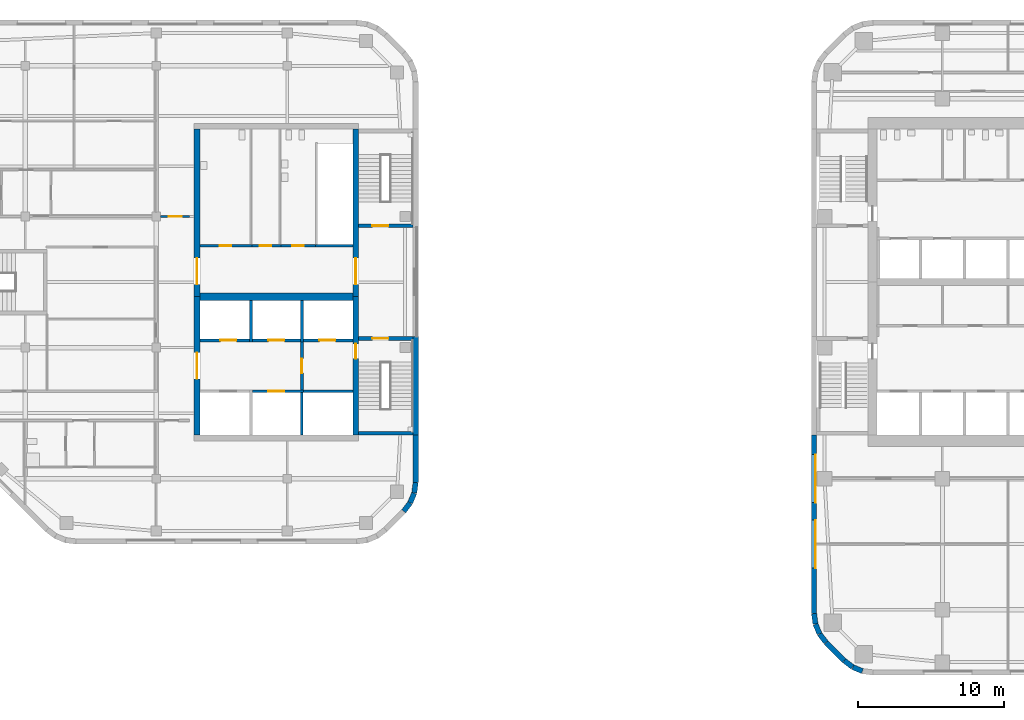
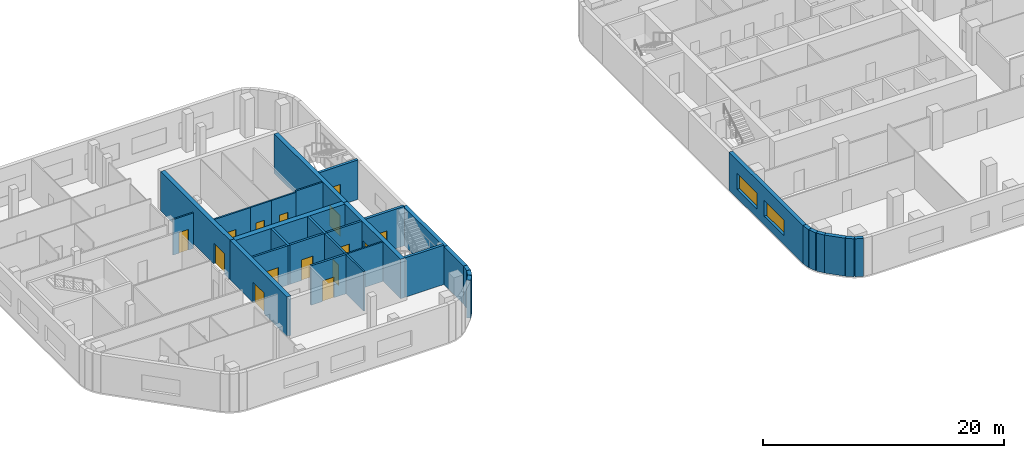
# One storey, part 6 of 14: 34 walls, 15 doors, 2 windows, 17 openings.
"""IFC4 building model written with IfcOpenShell, lengths in metres."""

from ifc_helpers import new_model, si_unit, direction, frame, frame_2d, origin, place, context, subcontext, project, spatial, rectangle, extrude, material, layer, layer_set, type_object, element, fill, save


model = new_model("IFC4")

# Units and contexts
model_context = context("Model", 3, precision=1e-05, world=origin(), true_north=direction((0.0, 1.0)))
body_context = subcontext(model_context, "Body", "Model", "MODEL_VIEW")
ifc_project = project(units=[si_unit("LENGTHUNIT", "METRE"), si_unit("AREAUNIT", "SQUARE_METRE"), si_unit("VOLUMEUNIT", "CUBIC_METRE"), si_unit("PLANEANGLEUNIT", "RADIAN"), si_unit("MASSUNIT", "GRAM", prefix="KILO")], contexts=[model_context])

# Site, building, storey
site_placement = place(None, origin())
site = spatial("IfcSite", under=ifc_project, at=site_placement, CompositionType="ELEMENT")
building_placement = place(site_placement, origin())
building = spatial("IfcBuilding", under=site, at=building_placement, Name="Cinnabar Reach Civic Tower", CompositionType="ELEMENT")
storey_placement = place(building_placement, frame((0.0, 0.0, 108.0)))
storey = spatial("IfcBuildingStorey", under=building, at=storey_placement, Name="L25", CompositionType="ELEMENT", Elevation=108.0)

# Walls
ifc_material_1 = material(Name="Facing brick with insulated backing", Category="masonry")
ifc_layer_1 = layer(ifc_material_1, 0.36)
ifc_layer_set_1 = layer_set([ifc_layer_1], Name="Brick corner wall")
wall_type_1 = type_object("IfcWallType", Name="Brick corner wall", PredefinedType="STANDARD", material=ifc_layer_set_1)
for number, where, z_axis, x_axis, name in (
    (1, (0.183, 8.7314, 0.0), (0.0, 0.0, 1.0), (0.13055608231, -0.99144092581, 0.0), "Brick corner wall"),
    (2, (0.2819, 8.0027, 0.0), (0.0, 0.0, 1.0), (0.382702709855, -0.923871547278, 0.0), "Brick corner wall"),
):
    element("IfcWall", number, at=place(storey_placement, frame(where, z_axis=z_axis, x_axis=x_axis)), inside=storey, type_object=wall_type_1, Name=name, PredefinedType="STANDARD", context=body_context, shape_type="SweptSolid", body=[
        extrude(rectangle(XDim=0.7131, YDim=0.36, at=frame_2d((0.3565, 0.0))), origin(), (0.0, 0.0, 1.0), 3.85),
    ])
for number, where, z_axis, x_axis, name in (
    (3, (0.566, 7.3245, 0.0), (0.0, 0.0, 1.0), (0.608802368033, -0.793321924995, 0.0), "Brick corner wall"),
    (4, (2.2587, 5.5002, 0.0), (0.0, 0.0, 1.0), (0.793321924995, -0.608802368033, 0.0), "Brick corner wall"),
):
    element("IfcWall", number, at=place(storey_placement, frame(where, z_axis=z_axis, x_axis=x_axis)), inside=storey, type_object=wall_type_1, Name=name, PredefinedType="STANDARD", context=body_context, shape_type="SweptSolid", body=[
        extrude(rectangle(XDim=0.7132, YDim=0.36, at=frame_2d((0.3566, 0.0))), origin(), (0.0, 0.0, 1.0), 3.85),
    ])
wall_1_placement = place(storey_placement, frame((2.8439, 5.0548, 0.0), z_axis=(0.0, 0.0, 1.0), x_axis=(0.923871547278, -0.382702709855, 0.0)))
element("IfcWall", 5, at=wall_1_placement, inside=storey, type_object=wall_type_1, Name="Brick corner wall", PredefinedType="STANDARD", context=body_context, shape_type="SweptSolid", body=[
    extrude(rectangle(XDim=0.7131, YDim=0.36, at=frame_2d((0.3565, 0.0))), origin(), (0.0, 0.0, 1.0), 3.85),
])
wall_2_placement = place(storey_placement, frame((-28.0002, 15.7587, 0.0), z_axis=(0.0, 0.0, 1.0), x_axis=(0.608802368033, 0.793321924995, 0.0)))
element("IfcWall", 6, at=wall_2_placement, inside=storey, type_object=wall_type_1, Name="Brick corner wall", PredefinedType="STANDARD", context=body_context, shape_type="SweptSolid", body=[
    extrude(rectangle(XDim=0.7132, YDim=0.36, at=frame_2d((0.3566, 0.0))), origin(), (0.0, 0.0, 1.0), 3.85),
])
for number, where, z_axis, x_axis, name in (
    (7, (-27.5548, 16.3439, 0.0), (0.0, 0.0, 1.0), (0.382702709855, 0.923871547278, 0.0), "Brick corner wall"),
    (8, (-27.2761, 17.0244, 0.0), (0.0, 0.0, 1.0), (0.13055608231, 0.99144092581, 0.0), "Brick corner wall"),
):
    element("IfcWall", number, at=place(storey_placement, frame(where, z_axis=z_axis, x_axis=x_axis)), inside=storey, type_object=wall_type_1, Name=name, PredefinedType="STANDARD", context=body_context, shape_type="SweptSolid", body=[
        extrude(rectangle(XDim=0.7131, YDim=0.36, at=frame_2d((0.3565, 0.0))), origin(), (0.0, 0.0, 1.0), 3.85),
    ])

# Wall, openings, windows
ifc_layer_2 = layer(ifc_material_1, 0.36)
ifc_layer_set_2 = layer_set([ifc_layer_2], Name="Brick pier and spandrel wall")
wall_type_2 = type_object("IfcWallType", Name="Brick pier and spandrel wall", PredefinedType="STANDARD", material=ifc_layer_set_2)
wall_3_placement = place(storey_placement, frame((0.18, 21.0, 0.0), z_axis=(0.0, 0.0, 1.0), x_axis=(0.0, -1.0, 0.0)))
wall_3 = element("IfcWall", 9, at=wall_3_placement, inside=storey, type_object=wall_type_2, Name="Brick facade wall", PredefinedType="STANDARD", context=body_context, shape_type="SweptSolid", body=[
    extrude(rectangle(XDim=12.2574, YDim=0.36, at=frame_2d((6.1287, 0.0))), origin(), (0.0, 0.0, 1.0), 3.85),
])
opening_1_placement = place(wall_3_placement, frame((1.35, 0.0, 0.9)))
opening_1 = element("IfcOpeningElement", 10, at=opening_1_placement, cuts=wall_3, Name="Opening W1543", PredefinedType="OPENING", context=body_context, shape_type="SweptSolid", body=[
    extrude(rectangle(XDim=3.3, YDim=1.6, at=frame_2d((1.65, 0.8))), frame((0.0, 0.19, 0.0), z_axis=(0.0, -1.0, 0.0), x_axis=(1.0, 0.0, 0.0)), (0.0, 0.0, 1.0), 0.38),
])
opening_2_placement = place(wall_3_placement, frame((5.85, 0.0, 0.9)))
opening_2 = element("IfcOpeningElement", 11, at=opening_2_placement, cuts=wall_3, Name="Opening W1544", PredefinedType="OPENING", context=body_context, shape_type="SweptSolid", body=[
    extrude(rectangle(XDim=3.3, YDim=1.6, at=frame_2d((1.65, 0.8))), frame((0.0, 0.19, 0.0), z_axis=(0.0, -1.0, 0.0), x_axis=(1.0, 0.0, 0.0)), (0.0, 0.0, 1.0), 0.38),
])
ifc_material_2 = material(Name="Clear double glazing in aluminium frame", Category="aluminium")
window_type = type_object("IfcWindowType", Name="Deep-set window A", PartitioningType="SINGLE_PANEL", PredefinedType="WINDOW", material=ifc_material_2)
window_1_placement = place(opening_1_placement, origin())
window_1 = element("IfcWindow", 12, at=window_1_placement, inside=storey, type_object=window_type, Name="Window west face", OverallHeight=1.6, OverallWidth=3.3, PartitioningType="SINGLE_PANEL", PredefinedType="WINDOW", context=body_context, shape_type="SweptSolid", body=[
    extrude(rectangle(XDim=3.3, YDim=1.6, at=frame_2d((1.65, 0.8))), frame((0.0, 0.13, 0.0), z_axis=(0.0, -1.0, 0.0), x_axis=(1.0, 0.0, 0.0)), (0.0, 0.0, 1.0), 0.06),
])
fill(opening_1, window_1)
window_2_placement = place(opening_2_placement, origin())
window_2 = element("IfcWindow", 13, at=window_2_placement, inside=storey, type_object=window_type, Name="Window west face", OverallHeight=1.6, OverallWidth=3.3, PartitioningType="SINGLE_PANEL", PredefinedType="WINDOW", context=body_context, shape_type="SweptSolid", body=[
    extrude(rectangle(XDim=3.3, YDim=1.6, at=frame_2d((1.65, 0.8))), frame((0.0, 0.13, 0.0), z_axis=(0.0, -1.0, 0.0), x_axis=(1.0, 0.0, 0.0)), (0.0, 0.0, 1.0), 0.06),
])
fill(opening_2, window_2)

# Walls
wall_4_placement = place(storey_placement, frame((1.006, 6.7486, 0.0), z_axis=(0.0, 0.0, 1.0), x_axis=(0.707106781187, -0.707106781187, 0.0)))
element("IfcWall", 14, at=wall_4_placement, inside=storey, type_object=wall_type_2, Name="Brick facade wall", PredefinedType="STANDARD", context=body_context, shape_type="SweptSolid", body=[
    extrude(rectangle(XDim=1.7573, YDim=0.36, at=frame_2d((0.8787, 0.0))), origin(), (0.0, 0.0, 1.0), 3.85),
])
wall_5_placement = place(storey_placement, frame((-27.18, 17.7426, 0.0), z_axis=(0.0, 0.0, 1.0), x_axis=(0.0, 1.0, 0.0)))
element("IfcWall", 15, at=wall_5_placement, inside=storey, type_object=wall_type_2, Name="Brick facade wall", PredefinedType="STANDARD", context=body_context, shape_type="SweptSolid", body=[
    extrude(rectangle(XDim=3.2574, YDim=0.36, at=frame_2d((1.6287, 0.0))), origin(), (0.0, 0.0, 1.0), 3.85),
])
wall_6_placement = place(storey_placement, frame((-27.18, 21.0, 0.0), z_axis=(0.0, 0.0, 1.0), x_axis=(0.0, 1.0, 0.0)))
element("IfcWall", 16, at=wall_6_placement, inside=storey, type_object=wall_type_2, Name="Brick facade wall", PredefinedType="STANDARD", context=body_context, shape_type="SweptSolid", body=[
    extrude(rectangle(XDim=6.75, YDim=0.36, at=frame_2d((3.375, 0.0))), origin(), (0.0, 0.0, 1.0), 3.85),
])

# Wall, opening, door
ifc_material_3 = material(Name="Concrete C60", Category="concrete")
ifc_layer_3 = layer(ifc_material_3, 0.4)
ifc_layer_set_3 = layer_set([ifc_layer_3], Name="Core wall 400 EI 180")
wall_type_3 = type_object("IfcWallType", Name="Core wall 400 EI 180", PredefinedType="SOLIDWALL", material=ifc_layer_set_3)
wall_7_placement = place(storey_placement, frame((-31.3, 21.0, 0.0), z_axis=(0.0, 0.0, 1.0), x_axis=(0.0, 1.0, 0.0)))
wall_7 = element("IfcWall", 17, at=wall_7_placement, inside=storey, type_object=wall_type_3, Name="Core wall T2 L25 E", PredefinedType="SOLIDWALL", context=body_context, shape_type="SweptSolid", body=[
    extrude(rectangle(XDim=9.5, YDim=0.4, at=frame_2d((4.75, 0.0))), origin(), (0.0, 0.0, 1.0), 4.0),
])
opening_3_placement = place(wall_7_placement, frame((5.25, 0.0, 0.0)))
opening_3 = element("IfcOpeningElement", 18, at=opening_3_placement, cuts=wall_7, Name="Opening D6914", PredefinedType="OPENING", context=body_context, shape_type="SweptSolid", body=[
    extrude(rectangle(XDim=1.0, YDim=2.1, at=frame_2d((0.5, 1.05))), frame((0.0, 0.21, 0.0), z_axis=(0.0, -1.0, 0.0), x_axis=(1.0, 0.0, 0.0)), (0.0, 0.0, 1.0), 0.42),
])
ifc_material_4 = material(Name="Steel fire door", Category="steel")
door_type_1 = type_object("IfcDoorType", Name="T2 Firefighting lobby door 1000", OperationType="SINGLE_SWING_LEFT", PredefinedType="DOOR", material=ifc_material_4)
door_1_placement = place(opening_3_placement, frame((1.0, 0.0, 0.0), z_axis=(0.0, 0.0, 1.0), x_axis=(-1.0, 0.0, 0.0)))
door_1 = element("IfcDoor", 19, at=door_1_placement, inside=storey, type_object=door_type_1, Name="T2 Firefighting lobby door D6914", OperationType="SINGLE_SWING_LEFT", OverallHeight=2.1, OverallWidth=1.0, PredefinedType="DOOR", context=body_context, shape_type="SweptSolid", body=[
    extrude(rectangle(XDim=1.0, YDim=2.1, at=frame_2d((0.5, 1.05))), frame((0.0, 0.025, 0.0), z_axis=(0.0, -1.0, 0.0), x_axis=(1.0, 0.0, 0.0)), (0.0, 0.0, 1.0), 0.05),
])
fill(opening_3, door_1)

wall_8_placement = place(storey_placement, frame((-31.3, 30.5, 0.0), z_axis=(0.0, 0.0, 1.0), x_axis=(0.0, 1.0, 0.0)))
wall_8 = element("IfcWall", 20, at=wall_8_placement, inside=storey, type_object=wall_type_3, Name="Core wall T2 L25 E2", PredefinedType="SOLIDWALL", context=body_context, shape_type="SweptSolid", body=[
    extrude(rectangle(XDim=11.5, YDim=0.4, at=frame_2d((5.75, 0.0))), origin(), (0.0, 0.0, 1.0), 4.0),
])
opening_4_placement = place(wall_8_placement, frame((0.85, 0.0, 0.0)))
opening_4 = element("IfcOpeningElement", 21, at=opening_4_placement, cuts=wall_8, Name="Opening D6917", PredefinedType="OPENING", context=body_context, shape_type="SweptSolid", body=[
    extrude(rectangle(XDim=1.8, YDim=2.1, at=frame_2d((0.9, 1.05))), frame((0.0, 0.21, 0.0), z_axis=(0.0, -1.0, 0.0), x_axis=(1.0, 0.0, 0.0)), (0.0, 0.0, 1.0), 0.42),
])
door_type_2 = type_object("IfcDoorType", Name="T2 Double door 1800", OperationType="DOUBLE_DOOR_SINGLE_SWING", PredefinedType="DOOR", material=ifc_material_4)
door_2_placement = place(opening_4_placement, origin())
door_2 = element("IfcDoor", 22, at=door_2_placement, inside=storey, type_object=door_type_2, Name="T2 Double door D6917", OperationType="DOUBLE_DOOR_SINGLE_SWING", OverallHeight=2.1, OverallWidth=1.8, PredefinedType="DOOR", context=body_context, shape_type="SweptSolid", body=[
    extrude(rectangle(XDim=1.8, YDim=2.1, at=frame_2d((0.9, 1.05))), frame((0.0, 0.025, 0.0), z_axis=(0.0, -1.0, 0.0), x_axis=(1.0, 0.0, 0.0)), (0.0, 0.0, 1.0), 0.05),
])
fill(opening_4, door_2)

wall_9_placement = place(storey_placement, frame((-42.2, 42.0, 0.0), z_axis=(0.0, 0.0, 1.0), x_axis=(0.0, -1.0, 0.0)))
wall_9 = element("IfcWall", 23, at=wall_9_placement, inside=storey, type_object=wall_type_3, Name="Core wall T2 L25 W", PredefinedType="SOLIDWALL", context=body_context, shape_type="SweptSolid", body=[
    extrude(rectangle(XDim=11.5, YDim=0.4, at=frame_2d((5.75, 0.0))), origin(), (0.0, 0.0, 1.0), 4.0),
])
opening_5_placement = place(wall_9_placement, frame((8.85, 0.0, 0.0)))
opening_5 = element("IfcOpeningElement", 24, at=opening_5_placement, cuts=wall_9, Name="Opening D6919", PredefinedType="OPENING", context=body_context, shape_type="SweptSolid", body=[
    extrude(rectangle(XDim=1.8, YDim=2.1, at=frame_2d((0.9, 1.05))), frame((0.0, 0.21, 0.0), z_axis=(0.0, -1.0, 0.0), x_axis=(1.0, 0.0, 0.0)), (0.0, 0.0, 1.0), 0.42),
])
door_3_placement = place(opening_5_placement, frame((1.8, 0.0, 0.0), z_axis=(0.0, 0.0, 1.0), x_axis=(-1.0, 0.0, 0.0)))
door_3 = element("IfcDoor", 25, at=door_3_placement, inside=storey, type_object=door_type_2, Name="T2 Double door D6919", OperationType="DOUBLE_DOOR_SINGLE_SWING", OverallHeight=2.1, OverallWidth=1.8, PredefinedType="DOOR", context=body_context, shape_type="SweptSolid", body=[
    extrude(rectangle(XDim=1.8, YDim=2.1, at=frame_2d((0.9, 1.05))), frame((0.0, 0.025, 0.0), z_axis=(0.0, -1.0, 0.0), x_axis=(1.0, 0.0, 0.0)), (0.0, 0.0, 1.0), 0.05),
])
fill(opening_5, door_3)

wall_10_placement = place(storey_placement, frame((-42.2, 30.5, 0.0), z_axis=(0.0, 0.0, 1.0), x_axis=(0.0, -1.0, 0.0)))
wall_10 = element("IfcWall", 26, at=wall_10_placement, inside=storey, type_object=wall_type_3, Name="Core wall T2 L25 W2", PredefinedType="SOLIDWALL", context=body_context, shape_type="SweptSolid", body=[
    extrude(rectangle(XDim=9.5, YDim=0.4, at=frame_2d((4.75, 0.0))), origin(), (0.0, 0.0, 1.0), 4.0),
])
opening_6_placement = place(wall_10_placement, frame((3.85, 0.0, 0.0)))
opening_6 = element("IfcOpeningElement", 27, at=opening_6_placement, cuts=wall_10, Name="Opening D6918", PredefinedType="OPENING", context=body_context, shape_type="SweptSolid", body=[
    extrude(rectangle(XDim=1.8, YDim=2.1, at=frame_2d((0.9, 1.05))), frame((0.0, 0.21, 0.0), z_axis=(0.0, -1.0, 0.0), x_axis=(1.0, 0.0, 0.0)), (0.0, 0.0, 1.0), 0.42),
])
door_4_placement = place(opening_6_placement, origin())
door_4 = element("IfcDoor", 28, at=door_4_placement, inside=storey, type_object=door_type_2, Name="T2 Double door D6918", OperationType="DOUBLE_DOOR_SINGLE_SWING", OverallHeight=2.1, OverallWidth=1.8, PredefinedType="DOOR", context=body_context, shape_type="SweptSolid", body=[
    extrude(rectangle(XDim=1.8, YDim=2.1, at=frame_2d((0.9, 1.05))), frame((0.0, 0.025, 0.0), z_axis=(0.0, -1.0, 0.0), x_axis=(1.0, 0.0, 0.0)), (0.0, 0.0, 1.0), 0.05),
])
fill(opening_6, door_4)

# Wall
ifc_layer_4 = layer(ifc_material_3, 0.5)
ifc_layer_set_4 = layer_set([ifc_layer_4], Name="Core wall 500 EI 180")
wall_type_4 = type_object("IfcWallType", Name="Core wall 500 EI 180", PredefinedType="SOLIDWALL", material=ifc_layer_set_4)
wall_11_placement = place(storey_placement, frame((-42.0, 30.5, 0.0), z_axis=(0.0, 0.0, 1.0), x_axis=(1.0, 0.0, 0.0)))
element("IfcWall", 29, at=wall_11_placement, inside=storey, type_object=wall_type_4, Name="Core spine wall T2 L25", PredefinedType="SOLIDWALL", context=body_context, shape_type="SweptSolid", body=[
    extrude(rectangle(XDim=10.5, YDim=0.5, at=frame_2d((5.25, 0.0))), origin(), (0.0, 0.0, 1.0), 4.0),
])

# Wall, opening, door
ifc_material_5 = material(Name="Gypsum board on steel studs, double layer", Category="steel")
ifc_layer_5 = layer(ifc_material_5, 0.15)
ifc_layer_set_5 = layer_set([ifc_layer_5], Name="Corridor wall 150 T2")
wall_type_5 = type_object("IfcWallType", Name="Corridor wall 150 T2", PredefinedType="PARTITIONING", material=ifc_layer_set_5)
wall_12_placement = place(storey_placement, frame((-44.7, 36.0, 0.0), z_axis=(0.0, 0.0, 1.0), x_axis=(1.0, 0.0, 0.0)))
wall_12 = element("IfcWall", 30, at=wall_12_placement, inside=storey, type_object=wall_type_5, Name="Corridor wall 1", PredefinedType="PARTITIONING", context=body_context, shape_type="SweptSolid", body=[
    extrude(rectangle(XDim=1.975, YDim=0.15, at=frame_2d((0.9875, 0.0))), origin(), (0.0, 0.0, 1.0), 3.602),
])
opening_7_placement = place(wall_12_placement, frame((0.55, 0.0, 0.0)))
opening_7 = element("IfcOpeningElement", 31, at=opening_7_placement, cuts=wall_12, Name="Opening D6923", PredefinedType="OPENING", context=body_context, shape_type="SweptSolid", body=[
    extrude(rectangle(XDim=0.9, YDim=2.1, at=frame_2d((0.45, 1.05))), frame((0.0, 0.085, 0.0), z_axis=(0.0, -1.0, 0.0), x_axis=(1.0, 0.0, 0.0)), (0.0, 0.0, 1.0), 0.17),
])
ifc_material_6 = material(Name="Timber door leaf in steel frame", Category="steel")
door_type_3 = type_object("IfcDoorType", Name="Single swing door 900 x 2100 T2", OperationType="SINGLE_SWING_LEFT", PredefinedType="DOOR", material=ifc_material_6)
door_5_placement = place(opening_7_placement, origin())
door_5 = element("IfcDoor", 32, at=door_5_placement, inside=storey, type_object=door_type_3, Name="Door D6923", OperationType="SINGLE_SWING_RIGHT", OverallHeight=2.1, OverallWidth=0.9, PredefinedType="DOOR", context=body_context, shape_type="SweptSolid", body=[
    extrude(rectangle(XDim=0.9, YDim=2.1, at=frame_2d((0.45, 1.05))), frame((0.0, 0.025, 0.0), z_axis=(0.0, -1.0, 0.0), x_axis=(1.0, 0.0, 0.0)), (0.0, 0.0, 1.0), 0.05),
])
fill(opening_7, door_5)

# Wall
ifc_layer_6 = layer(ifc_material_3, 0.25)
ifc_layer_set_6 = layer_set([ifc_layer_6], Name="Stair shaft wall 250 EI 120")
wall_type_6 = type_object("IfcWallType", Name="Stair shaft wall 250 EI 120", PredefinedType="SOLIDWALL", material=ifc_layer_set_6)
wall_13_placement = place(storey_placement, frame((-31.1, 21.125, 0.0), z_axis=(0.0, 0.0, 1.0), x_axis=(1.0, 0.0, 0.0)))
element("IfcWall", 33, at=wall_13_placement, inside=storey, type_object=wall_type_6, Name="Stair shaft wall T2-S1 L25", PredefinedType="SOLIDWALL", context=body_context, shape_type="SweptSolid", body=[
    extrude(rectangle(XDim=3.74, YDim=0.25, at=frame_2d((1.87, 0.0))), origin(), (0.0, 0.0, 1.0), 4.0),
])

# Wall, opening, door
wall_14_placement = place(storey_placement, frame((-27.36, 27.625, 0.0), z_axis=(0.0, 0.0, 1.0), x_axis=(-1.0, 0.0, 0.0)))
wall_14 = element("IfcWall", 34, at=wall_14_placement, inside=storey, type_object=wall_type_6, Name="Stair shaft wall T2-S1 L25", PredefinedType="SOLIDWALL", context=body_context, shape_type="SweptSolid", body=[
    extrude(rectangle(XDim=3.74, YDim=0.25, at=frame_2d((1.87, 0.0))), origin(), (0.0, 0.0, 1.0), 4.0),
])
opening_8_placement = place(wall_14_placement, frame((1.69, 0.0, 0.0)))
opening_8 = element("IfcOpeningElement", 35, at=opening_8_placement, cuts=wall_14, Name="Opening D6915", PredefinedType="OPENING", context=body_context, shape_type="SweptSolid", body=[
    extrude(rectangle(XDim=1.1, YDim=2.1, at=frame_2d((0.55, 1.05))), frame((0.0, 0.135, 0.0), z_axis=(0.0, -1.0, 0.0), x_axis=(1.0, 0.0, 0.0)), (0.0, 0.0, 1.0), 0.27),
])
door_type_4 = type_object("IfcDoorType", Name="T2 Stair door 1100", OperationType="SINGLE_SWING_LEFT", PredefinedType="DOOR", material=ifc_material_4)
door_6_placement = place(opening_8_placement, origin())
door_6 = element("IfcDoor", 36, at=door_6_placement, inside=storey, type_object=door_type_4, Name="T2 Stair door D6915", OperationType="SINGLE_SWING_LEFT", OverallHeight=2.1, OverallWidth=1.1, PredefinedType="DOOR", context=body_context, shape_type="SweptSolid", body=[
    extrude(rectangle(XDim=1.1, YDim=2.1, at=frame_2d((0.55, 1.05))), frame((0.0, 0.025, 0.0), z_axis=(0.0, -1.0, 0.0), x_axis=(1.0, 0.0, 0.0)), (0.0, 0.0, 1.0), 0.05),
])
fill(opening_8, door_6)

wall_15_placement = place(storey_placement, frame((-31.1, 35.375, 0.0), z_axis=(0.0, 0.0, 1.0), x_axis=(1.0, 0.0, 0.0)))
wall_15 = element("IfcWall", 37, at=wall_15_placement, inside=storey, type_object=wall_type_6, Name="Stair shaft wall T2-S2 L25", PredefinedType="SOLIDWALL", context=body_context, shape_type="SweptSolid", body=[
    extrude(rectangle(XDim=3.74, YDim=0.25, at=frame_2d((1.87, 0.0))), origin(), (0.0, 0.0, 1.0), 4.0),
])
opening_9_placement = place(wall_15_placement, frame((0.95, 0.0, 0.0)))
opening_9 = element("IfcOpeningElement", 38, at=opening_9_placement, cuts=wall_15, Name="Opening D6916", PredefinedType="OPENING", context=body_context, shape_type="SweptSolid", body=[
    extrude(rectangle(XDim=1.1, YDim=2.1, at=frame_2d((0.55, 1.05))), frame((0.0, 0.135, 0.0), z_axis=(0.0, -1.0, 0.0), x_axis=(1.0, 0.0, 0.0)), (0.0, 0.0, 1.0), 0.27),
])
door_7_placement = place(opening_9_placement, origin())
door_7 = element("IfcDoor", 39, at=door_7_placement, inside=storey, type_object=door_type_4, Name="T2 Stair door D6916", OperationType="SINGLE_SWING_RIGHT", OverallHeight=2.1, OverallWidth=1.1, PredefinedType="DOOR", context=body_context, shape_type="SweptSolid", body=[
    extrude(rectangle(XDim=1.1, YDim=2.1, at=frame_2d((0.55, 1.05))), frame((0.0, 0.025, 0.0), z_axis=(0.0, -1.0, 0.0), x_axis=(1.0, 0.0, 0.0)), (0.0, 0.0, 1.0), 0.05),
])
fill(opening_9, door_7)

ifc_material_7 = material(Name="Masonry block partition", Category="masonry")
ifc_layer_7 = layer(ifc_material_7, 0.15)
ifc_layer_set_7 = layer_set([ifc_layer_7], Name="T2 Corridor wall 150")
wall_type_7 = type_object("IfcWallType", Name="T2 Corridor wall 150", PredefinedType="PARTITIONING", material=ifc_layer_set_7)
wall_16_placement = place(storey_placement, frame((-38.425, 34.0, 0.0), z_axis=(0.0, 0.0, 1.0), x_axis=(-1.0, 0.0, 0.0)))
wall_16 = element("IfcWall", 40, at=wall_16_placement, inside=storey, type_object=wall_type_7, Name="T2 Corridor wall L25 014", PredefinedType="PARTITIONING", context=body_context, shape_type="SweptSolid", body=[
    extrude(rectangle(XDim=3.575, YDim=0.15, at=frame_2d((1.7875, 0.0))), origin(), (0.0, 0.0, 1.0), 3.85),
])
opening_10_placement = place(wall_16_placement, frame((1.425, 0.0, 0.0)))
opening_10 = element("IfcOpeningElement", 41, at=opening_10_placement, cuts=wall_16, Name="Opening D6920", PredefinedType="OPENING", context=body_context, shape_type="SweptSolid", body=[
    extrude(rectangle(XDim=0.8, YDim=2.1, at=frame_2d((0.4, 1.05))), frame((0.0, 0.085, 0.0), z_axis=(0.0, -1.0, 0.0), x_axis=(1.0, 0.0, 0.0)), (0.0, 0.0, 1.0), 0.17),
])
ifc_material_8 = material(Name="Timber door leaf", Category="wood")
door_type_5 = type_object("IfcDoorType", Name="T2 Bathroom door 800", OperationType="SINGLE_SWING_LEFT", PredefinedType="DOOR", material=ifc_material_8)
door_8_placement = place(opening_10_placement, frame((0.8, 0.0, 0.0), z_axis=(0.0, 0.0, 1.0), x_axis=(-1.0, 0.0, 0.0)))
door_8 = element("IfcDoor", 42, at=door_8_placement, inside=storey, type_object=door_type_5, Name="T2 Bathroom door D6920", OperationType="SINGLE_SWING_RIGHT", OverallHeight=2.1, OverallWidth=0.8, PredefinedType="DOOR", context=body_context, shape_type="SweptSolid", body=[
    extrude(rectangle(XDim=0.8, YDim=2.1, at=frame_2d((0.4, 1.05))), frame((0.0, 0.025, 0.0), z_axis=(0.0, -1.0, 0.0), x_axis=(1.0, 0.0, 0.0)), (0.0, 0.0, 1.0), 0.05),
])
fill(opening_10, door_8)

wall_17_placement = place(storey_placement, frame((-36.425, 34.0, 0.0), z_axis=(0.0, 0.0, 1.0), x_axis=(-1.0, 0.0, 0.0)))
wall_17 = element("IfcWall", 43, at=wall_17_placement, inside=storey, type_object=wall_type_7, Name="T2 Corridor wall L25 015", PredefinedType="PARTITIONING", context=body_context, shape_type="SweptSolid", body=[
    extrude(rectangle(XDim=2.0, YDim=0.15, at=frame_2d((1.0, 0.0))), origin(), (0.0, 0.0, 1.0), 3.85),
])
opening_11_placement = place(wall_17_placement, frame((0.675, 0.0, 0.0)))
opening_11 = element("IfcOpeningElement", 44, at=opening_11_placement, cuts=wall_17, Name="Opening D6921", PredefinedType="OPENING", context=body_context, shape_type="SweptSolid", body=[
    extrude(rectangle(XDim=0.8, YDim=2.1, at=frame_2d((0.4, 1.05))), frame((0.0, 0.085, 0.0), z_axis=(0.0, -1.0, 0.0), x_axis=(1.0, 0.0, 0.0)), (0.0, 0.0, 1.0), 0.17),
])
door_9_placement = place(opening_11_placement, frame((0.8, 0.0, 0.0), z_axis=(0.0, 0.0, 1.0), x_axis=(-1.0, 0.0, 0.0)))
door_9 = element("IfcDoor", 45, at=door_9_placement, inside=storey, type_object=door_type_5, Name="T2 Bathroom door D6921", OperationType="SINGLE_SWING_LEFT", OverallHeight=2.1, OverallWidth=0.8, PredefinedType="DOOR", context=body_context, shape_type="SweptSolid", body=[
    extrude(rectangle(XDim=0.8, YDim=2.1, at=frame_2d((0.4, 1.05))), frame((0.0, 0.025, 0.0), z_axis=(0.0, -1.0, 0.0), x_axis=(1.0, 0.0, 0.0)), (0.0, 0.0, 1.0), 0.05),
])
fill(opening_11, door_9)

wall_18_placement = place(storey_placement, frame((-34.075, 34.0, 0.0), z_axis=(0.0, 0.0, 1.0), x_axis=(-1.0, 0.0, 0.0)))
wall_18 = element("IfcWall", 46, at=wall_18_placement, inside=storey, type_object=wall_type_7, Name="T2 Corridor wall L25 016", PredefinedType="PARTITIONING", context=body_context, shape_type="SweptSolid", body=[
    extrude(rectangle(XDim=2.35, YDim=0.15, at=frame_2d((1.175, 0.0))), origin(), (0.0, 0.0, 1.0), 3.85),
])
opening_12_placement = place(wall_18_placement, frame((0.775, 0.0, 0.0)))
opening_12 = element("IfcOpeningElement", 47, at=opening_12_placement, cuts=wall_18, Name="Opening D6922", PredefinedType="OPENING", context=body_context, shape_type="SweptSolid", body=[
    extrude(rectangle(XDim=0.8, YDim=2.1, at=frame_2d((0.4, 1.05))), frame((0.0, 0.085, 0.0), z_axis=(0.0, -1.0, 0.0), x_axis=(1.0, 0.0, 0.0)), (0.0, 0.0, 1.0), 0.17),
])
door_10_placement = place(opening_12_placement, frame((0.8, 0.0, 0.0), z_axis=(0.0, 0.0, 1.0), x_axis=(-1.0, 0.0, 0.0)))
door_10 = element("IfcDoor", 48, at=door_10_placement, inside=storey, type_object=door_type_5, Name="T2 Bathroom door D6922", OperationType="SINGLE_SWING_LEFT", OverallHeight=2.1, OverallWidth=0.8, PredefinedType="DOOR", context=body_context, shape_type="SweptSolid", body=[
    extrude(rectangle(XDim=0.8, YDim=2.1, at=frame_2d((0.4, 1.05))), frame((0.0, 0.025, 0.0), z_axis=(0.0, -1.0, 0.0), x_axis=(1.0, 0.0, 0.0)), (0.0, 0.0, 1.0), 0.05),
])
fill(opening_12, door_10)

# Walls
ifc_material_9 = material(Name="Concrete C40", Category="concrete")
ifc_layer_8 = layer(ifc_material_9, 0.15)
ifc_layer_set_8 = layer_set([ifc_layer_8], Name="T2 Riser wall 150")
wall_type_8 = type_object("IfcWallType", Name="T2 Riser wall 150", PredefinedType="SOLIDWALL", material=ifc_layer_set_8)
wall_19_placement = place(storey_placement, frame((-35.0, 21.0, 0.0), z_axis=(0.0, 0.0, 1.0), x_axis=(0.0, 1.0, 0.0)))
element("IfcWall", 49, at=wall_19_placement, inside=storey, type_object=wall_type_8, Name="T2 Riser wall L25 010", PredefinedType="SOLIDWALL", context=body_context, shape_type="SweptSolid", body=[
    extrude(rectangle(XDim=2.9, YDim=0.15, at=frame_2d((1.45, 0.0))), origin(), (0.0, 0.0, 1.0), 4.0),
])
wall_20_placement = place(storey_placement, frame((-31.5, 24.0, 0.0), z_axis=(0.0, 0.0, 1.0), x_axis=(-1.0, 0.0, 0.0)))
element("IfcWall", 50, at=wall_20_placement, inside=storey, type_object=wall_type_8, Name="T2 Riser wall L25 011", PredefinedType="SOLIDWALL", context=body_context, shape_type="SweptSolid", body=[
    extrude(rectangle(XDim=3.4, YDim=0.15, at=frame_2d((1.7, 0.0))), origin(), (0.0, 0.0, 1.0), 4.0),
])
wall_21_placement = place(storey_placement, frame((-34.075, 34.0, 0.0), z_axis=(0.0, 0.0, 1.0), x_axis=(1.0, 0.0, 0.0)))
element("IfcWall", 51, at=wall_21_placement, inside=storey, type_object=wall_type_8, Name="T2 Riser wall L25 012", PredefinedType="SOLIDWALL", context=body_context, shape_type="SweptSolid", body=[
    extrude(rectangle(XDim=2.575, YDim=0.15, at=frame_2d((1.2875, 0.0))), origin(), (0.0, 0.0, 1.0), 4.0),
])

# Wall, opening, door
ifc_layer_9 = layer(ifc_material_9, 0.2)
ifc_layer_set_9 = layer_set([ifc_layer_9], Name="T2 Shaft wall 200")
wall_type_9 = type_object("IfcWallType", Name="T2 Shaft wall 200", PredefinedType="SOLIDWALL", material=ifc_layer_set_9)
wall_22_placement = place(storey_placement, frame((-34.9, 24.0, 0.0), z_axis=(0.0, 0.0, 1.0), x_axis=(-1.0, 0.0, 0.0)))
wall_22 = element("IfcWall", 52, at=wall_22_placement, inside=storey, type_object=wall_type_9, Name="T2 Shaft wall L25 003", PredefinedType="SOLIDWALL", context=body_context, shape_type="SweptSolid", body=[
    extrude(rectangle(XDim=3.5, YDim=0.2, at=frame_2d((1.75, 0.0))), origin(), (0.0, 0.0, 1.0), 4.0),
])
opening_13_placement = place(wall_22_placement, frame((1.3, 0.0, 0.0)))
opening_13 = element("IfcOpeningElement", 53, at=opening_13_placement, cuts=wall_22, Name="Opening D6909", PredefinedType="OPENING", context=body_context, shape_type="SweptSolid", body=[
    extrude(rectangle(XDim=1.1, YDim=2.1, at=frame_2d((0.55, 1.05))), frame((0.0, 0.11, 0.0), z_axis=(0.0, -1.0, 0.0), x_axis=(1.0, 0.0, 0.0)), (0.0, 0.0, 1.0), 0.22),
])
door_type_6 = type_object("IfcDoorType", Name="T2 Lift landing door 1100", OperationType="SLIDING_TO_LEFT", PredefinedType="DOOR", material=ifc_material_4)
door_11_placement = place(opening_13_placement, origin())
door_11 = element("IfcDoor", 54, at=door_11_placement, inside=storey, type_object=door_type_6, Name="T2 Lift landing door D6909", OperationType="SLIDING_TO_LEFT", OverallHeight=2.1, OverallWidth=1.1, PredefinedType="DOOR", context=body_context, shape_type="SweptSolid", body=[
    extrude(rectangle(XDim=1.1, YDim=2.1, at=frame_2d((0.55, 1.05))), frame((0.0, 0.025, 0.0), z_axis=(0.0, -1.0, 0.0), x_axis=(1.0, 0.0, 0.0)), (0.0, 0.0, 1.0), 0.05),
])
fill(opening_13, door_11)

# Wall
wall_23_placement = place(storey_placement, frame((-38.5, 27.4, 0.0), z_axis=(0.0, 0.0, 1.0), x_axis=(0.0, 1.0, 0.0)))
element("IfcWall", 55, at=wall_23_placement, inside=storey, type_object=wall_type_9, Name="T2 Shaft wall L25 004", PredefinedType="SOLIDWALL", context=body_context, shape_type="SweptSolid", body=[
    extrude(rectangle(XDim=2.85, YDim=0.2, at=frame_2d((1.425, 0.0))), origin(), (0.0, 0.0, 1.0), 4.0),
])

# Wall, opening, door
wall_24_placement = place(storey_placement, frame((-42.0, 27.5, 0.0), z_axis=(0.0, 0.0, 1.0), x_axis=(1.0, 0.0, 0.0)))
wall_24 = element("IfcWall", 56, at=wall_24_placement, inside=storey, type_object=wall_type_9, Name="T2 Shaft wall L25 005", PredefinedType="SOLIDWALL", context=body_context, shape_type="SweptSolid", body=[
    extrude(rectangle(XDim=3.4, YDim=0.2, at=frame_2d((1.7, 0.0))), origin(), (0.0, 0.0, 1.0), 4.0),
])
opening_14_placement = place(wall_24_placement, frame((1.4, 0.0, 0.0)))
opening_14 = element("IfcOpeningElement", 57, at=opening_14_placement, cuts=wall_24, Name="Opening D6910", PredefinedType="OPENING", context=body_context, shape_type="SweptSolid", body=[
    extrude(rectangle(XDim=1.1, YDim=2.1, at=frame_2d((0.55, 1.05))), frame((0.0, 0.11, 0.0), z_axis=(0.0, -1.0, 0.0), x_axis=(1.0, 0.0, 0.0)), (0.0, 0.0, 1.0), 0.22),
])
door_12_placement = place(opening_14_placement, origin())
door_12 = element("IfcDoor", 58, at=door_12_placement, inside=storey, type_object=door_type_6, Name="T2 Lift landing door D6910", OperationType="SLIDING_TO_LEFT", OverallHeight=2.1, OverallWidth=1.1, PredefinedType="DOOR", context=body_context, shape_type="SweptSolid", body=[
    extrude(rectangle(XDim=1.1, YDim=2.1, at=frame_2d((0.55, 1.05))), frame((0.0, 0.025, 0.0), z_axis=(0.0, -1.0, 0.0), x_axis=(1.0, 0.0, 0.0)), (0.0, 0.0, 1.0), 0.05),
])
fill(opening_14, door_12)

# Wall
wall_25_placement = place(storey_placement, frame((-35.0, 27.4, 0.0), z_axis=(0.0, 0.0, 1.0), x_axis=(0.0, 1.0, 0.0)))
element("IfcWall", 59, at=wall_25_placement, inside=storey, type_object=wall_type_9, Name="T2 Shaft wall L25 006", PredefinedType="SOLIDWALL", context=body_context, shape_type="SweptSolid", body=[
    extrude(rectangle(XDim=2.85, YDim=0.2, at=frame_2d((1.425, 0.0))), origin(), (0.0, 0.0, 1.0), 4.0),
])

# Wall, opening, door
wall_26_placement = place(storey_placement, frame((-38.4, 27.5, 0.0), z_axis=(0.0, 0.0, 1.0), x_axis=(1.0, 0.0, 0.0)))
wall_26 = element("IfcWall", 60, at=wall_26_placement, inside=storey, type_object=wall_type_9, Name="T2 Shaft wall L25 007", PredefinedType="SOLIDWALL", context=body_context, shape_type="SweptSolid", body=[
    extrude(rectangle(XDim=3.3, YDim=0.2, at=frame_2d((1.65, 0.0))), origin(), (0.0, 0.0, 1.0), 4.0),
])
opening_15_placement = place(wall_26_placement, frame((1.1, 0.0, 0.0)))
opening_15 = element("IfcOpeningElement", 61, at=opening_15_placement, cuts=wall_26, Name="Opening D6911", PredefinedType="OPENING", context=body_context, shape_type="SweptSolid", body=[
    extrude(rectangle(XDim=1.1, YDim=2.1, at=frame_2d((0.55, 1.05))), frame((0.0, 0.11, 0.0), z_axis=(0.0, -1.0, 0.0), x_axis=(1.0, 0.0, 0.0)), (0.0, 0.0, 1.0), 0.22),
])
door_13_placement = place(opening_15_placement, origin())
door_13 = element("IfcDoor", 62, at=door_13_placement, inside=storey, type_object=door_type_6, Name="T2 Lift landing door D6911", OperationType="SLIDING_TO_LEFT", OverallHeight=2.1, OverallWidth=1.1, PredefinedType="DOOR", context=body_context, shape_type="SweptSolid", body=[
    extrude(rectangle(XDim=1.1, YDim=2.1, at=frame_2d((0.55, 1.05))), frame((0.0, 0.025, 0.0), z_axis=(0.0, -1.0, 0.0), x_axis=(1.0, 0.0, 0.0)), (0.0, 0.0, 1.0), 0.05),
])
fill(opening_15, door_13)

wall_27_placement = place(storey_placement, frame((-34.9, 27.5, 0.0), z_axis=(0.0, 0.0, 1.0), x_axis=(1.0, 0.0, 0.0)))
wall_27 = element("IfcWall", 63, at=wall_27_placement, inside=storey, type_object=wall_type_9, Name="T2 Shaft wall L25 008", PredefinedType="SOLIDWALL", context=body_context, shape_type="SweptSolid", body=[
    extrude(rectangle(XDim=3.4, YDim=0.2, at=frame_2d((1.7, 0.0))), origin(), (0.0, 0.0, 1.0), 4.0),
])
opening_16_placement = place(wall_27_placement, frame((1.1, 0.0, 0.0)))
opening_16 = element("IfcOpeningElement", 64, at=opening_16_placement, cuts=wall_27, Name="Opening D6912", PredefinedType="OPENING", context=body_context, shape_type="SweptSolid", body=[
    extrude(rectangle(XDim=1.1, YDim=2.1, at=frame_2d((0.55, 1.05))), frame((0.0, 0.11, 0.0), z_axis=(0.0, -1.0, 0.0), x_axis=(1.0, 0.0, 0.0)), (0.0, 0.0, 1.0), 0.22),
])
door_type_7 = type_object("IfcDoorType", Name="T2 Firefighting lift landing door 1100", OperationType="SLIDING_TO_LEFT", PredefinedType="DOOR", material=ifc_material_4)
door_14_placement = place(opening_16_placement, origin())
door_14 = element("IfcDoor", 65, at=door_14_placement, inside=storey, type_object=door_type_7, Name="T2 Firefighting lift landing door D6912", OperationType="SLIDING_TO_LEFT", OverallHeight=2.1, OverallWidth=1.1, PredefinedType="DOOR", context=body_context, shape_type="SweptSolid", body=[
    extrude(rectangle(XDim=1.1, YDim=2.1, at=frame_2d((0.55, 1.05))), frame((0.0, 0.025, 0.0), z_axis=(0.0, -1.0, 0.0), x_axis=(1.0, 0.0, 0.0)), (0.0, 0.0, 1.0), 0.05),
])
fill(opening_16, door_14)

wall_28_placement = place(storey_placement, frame((-35.0, 24.1, 0.0), z_axis=(0.0, 0.0, 1.0), x_axis=(0.0, 1.0, 0.0)))
wall_28 = element("IfcWall", 66, at=wall_28_placement, inside=storey, type_object=wall_type_9, Name="T2 Shaft wall L25 009", PredefinedType="SOLIDWALL", context=body_context, shape_type="SweptSolid", body=[
    extrude(rectangle(XDim=3.3, YDim=0.2, at=frame_2d((1.65, 0.0))), origin(), (0.0, 0.0, 1.0), 4.0),
])
opening_17_placement = place(wall_28_placement, frame((1.15, 0.0, 0.0)))
opening_17 = element("IfcOpeningElement", 67, at=opening_17_placement, cuts=wall_28, Name="Opening D6913", PredefinedType="OPENING", context=body_context, shape_type="SweptSolid", body=[
    extrude(rectangle(XDim=1.0, YDim=2.1, at=frame_2d((0.5, 1.05))), frame((0.0, 0.11, 0.0), z_axis=(0.0, -1.0, 0.0), x_axis=(1.0, 0.0, 0.0)), (0.0, 0.0, 1.0), 0.22),
])
door_15_placement = place(opening_17_placement, origin())
door_15 = element("IfcDoor", 68, at=door_15_placement, inside=storey, type_object=door_type_1, Name="T2 Firefighting lobby door D6913", OperationType="SINGLE_SWING_LEFT", OverallHeight=2.1, OverallWidth=1.0, PredefinedType="DOOR", context=body_context, shape_type="SweptSolid", body=[
    extrude(rectangle(XDim=1.0, YDim=2.1, at=frame_2d((0.5, 1.05))), frame((0.0, 0.025, 0.0), z_axis=(0.0, -1.0, 0.0), x_axis=(1.0, 0.0, 0.0)), (0.0, 0.0, 1.0), 0.05),
])
fill(opening_17, door_15)

save(model, "model.ifc")
